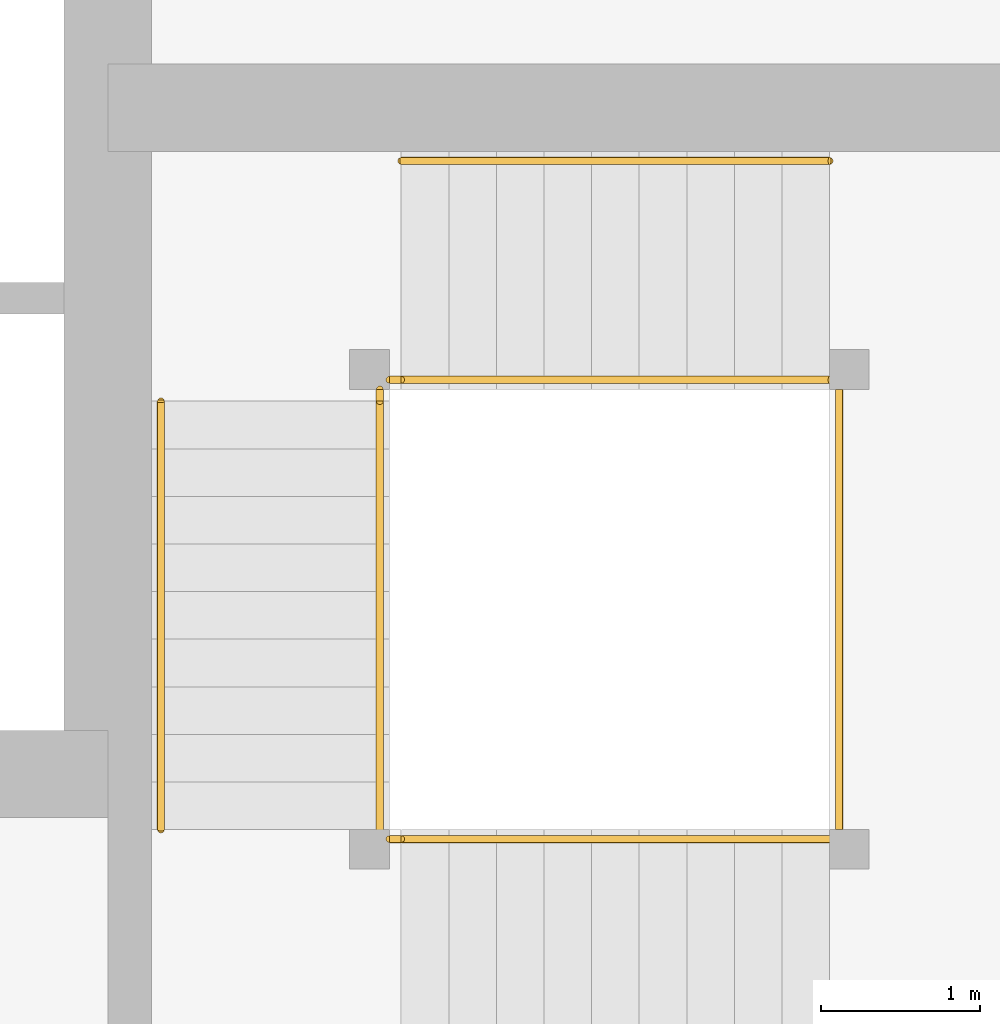
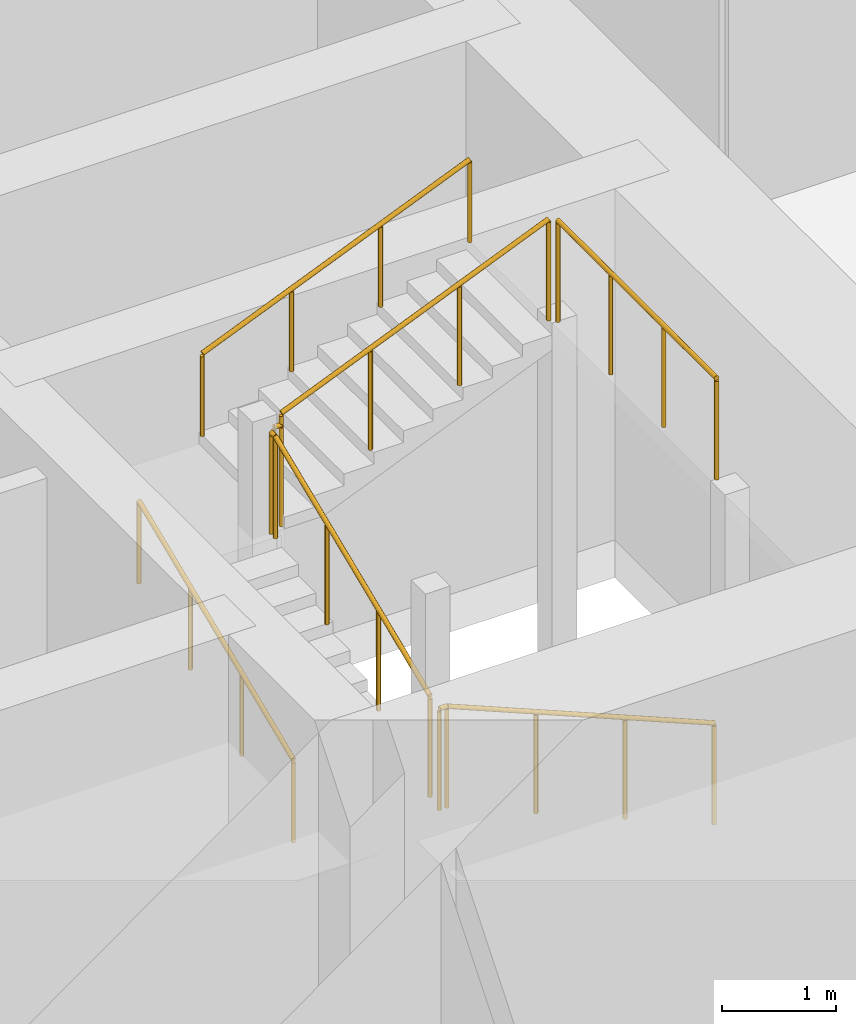
# One storey, part 30 of 35: 9 railings.
"""IFC4 building model written with IfcOpenShell, lengths in metres."""

from ifc_helpers import new_model, si_unit, direction, frame, origin, origin_2d, place, context, subcontext, project, spatial, circle, extrude, material, type_object, element, save


model = new_model("IFC4")

# Units and contexts
model_context = context("Model", 3, precision=1e-05, world=origin(), true_north=direction((0.0, 1.0)))
body_context = subcontext(model_context, "Body", "Model", "MODEL_VIEW")
ifc_project = project(units=[si_unit("LENGTHUNIT", "METRE"), si_unit("AREAUNIT", "SQUARE_METRE"), si_unit("VOLUMEUNIT", "CUBIC_METRE"), si_unit("PLANEANGLEUNIT", "RADIAN"), si_unit("MASSUNIT", "GRAM", prefix="KILO")], contexts=[model_context])

# Site, building, storey
site_placement = place(None, origin())
site = spatial("IfcSite", under=ifc_project, at=site_placement, CompositionType="ELEMENT")
building_placement = place(site_placement, origin())
building = spatial("IfcBuilding", under=site, at=building_placement, Name="Rekha Terrace Tower", CompositionType="ELEMENT")
storey_placement = place(building_placement, frame((0.0, 0.0, 25.39990234375)))
storey = spatial("IfcBuildingStorey", under=building, at=storey_placement, Name="L05", CompositionType="ELEMENT", Elevation=25.39990234375)

# Railings
ifc_material_1 = material(Name="Stainless steel balustrade", Category="steel")
railing_type_1 = type_object("IfcRailingType", Name="GR1 1100 stair guard", PredefinedType="GUARDRAIL", material=ifc_material_1)
railing_1_placement = place(storey_placement, frame((48.35009765625, 22.989990234375, 0.125)))
element("IfcRailing", 1, at=railing_1_placement, inside=storey, type_object=railing_type_1, Name="Guard ST3 L05 flight 1", PredefinedType="GUARDRAIL", context=body_context, shape_type="SweptSolid", body=[
    extrude(circle(Radius=0.02392578125, at=origin_2d()), frame((0.0, 0.0, 1.076171875), z_axis=(-0.923086799901, 0.0, 0.38459167938), x_axis=(0.0, -1.0, 0.0)), (0.0, 0.0, 1.0), 2.92529296875),
    extrude(circle(Radius=0.02099609375, at=origin_2d()), origin(), (0.0, 0.0, 1.0), 1.052001953125),
    extrude(circle(Radius=0.02099609375, at=origin_2d()), frame((-0.900146484375, 0.0, 0.375)), (0.0, 0.0, 1.0), 1.052001953125),
    extrude(circle(Radius=0.02099609375, at=origin_2d()), frame((-1.800048828125, 0.0, 0.75)), (0.0, 0.0, 1.0), 1.052001953125),
    extrude(circle(Radius=0.02099609375, at=origin_2d()), frame((-2.7001953125, 0.0, 1.125)), (0.0, 0.0, 1.0), 1.052001953125),
])
railing_2_placement = place(storey_placement, frame((45.514892578125, 23.050048828125, 1.375)))
element("IfcRailing", 2, at=railing_2_placement, inside=storey, type_object=railing_type_1, Name="Guard ST3 L05 flight 2", PredefinedType="GUARDRAIL", context=body_context, shape_type="SweptSolid", body=[
    extrude(circle(Radius=0.02392578125, at=origin_2d()), frame((0.0, 0.0, 1.076171875), z_axis=(0.0, 0.923074453586, 0.384621311341), x_axis=(-1.0, 0.0, 0.0)), (0.0, 0.0, 1.0), 2.925048828125),
    extrude(circle(Radius=0.02099609375, at=origin_2d()), origin(), (0.0, 0.0, 1.0), 1.052001953125),
    extrude(circle(Radius=0.02099609375, at=origin_2d()), frame((0.0, 0.89990234375, 0.375)), (0.0, 0.0, 1.0), 1.052001953125),
    extrude(circle(Radius=0.02099609375, at=origin_2d()), frame((0.0, 1.800048828125, 0.75)), (0.0, 0.0, 1.0), 1.052001953125),
    extrude(circle(Radius=0.02099609375, at=origin_2d()), frame((0.0, 2.699951171875, 1.125)), (0.0, 0.0, 1.0), 1.052001953125),
])
railing_3_placement = place(storey_placement, frame((45.64990234375, 25.885009765625, 2.625)))
element("IfcRailing", 3, at=railing_3_placement, inside=storey, type_object=railing_type_1, Name="Guard ST3 L05 flight 3", PredefinedType="GUARDRAIL", context=body_context, shape_type="SweptSolid", body=[
    extrude(circle(Radius=0.02392578125, at=origin_2d()), frame((0.0, 0.0, 1.076171875), z_axis=(0.923086799901, 0.0, 0.38459167938), x_axis=(0.0, 1.0, 0.0)), (0.0, 0.0, 1.0), 2.92529296875),
    extrude(circle(Radius=0.02099609375, at=origin_2d()), origin(), (0.0, 0.0, 1.0), 1.052001953125),
    extrude(circle(Radius=0.02099609375, at=origin_2d()), frame((0.900146484375, 0.0, 0.375)), (0.0, 0.0, 1.0), 1.052001953125),
    extrude(circle(Radius=0.02099609375, at=origin_2d()), frame((1.800048828125, 0.0, 0.75)), (0.0, 0.0, 1.0), 1.052001953125),
    extrude(circle(Radius=0.02099609375, at=origin_2d()), frame((2.7001953125, 0.0, 1.125)), (0.0, 0.0, 1.0), 1.052001953125),
])
railing_4_placement = place(storey_placement, frame((45.64990234375, 22.989990234375, 1.25)))
element("IfcRailing", 4, at=railing_4_placement, inside=storey, type_object=railing_type_1, Name="Guard ST3 L05 landing 1", PredefinedType="GUARDRAIL", context=body_context, shape_type="SweptSolid", body=[
    extrude(circle(Radius=0.02392578125, at=origin_2d()), frame((0.0, 0.0, 1.076171875), z_axis=(-1.0, 0.0, 0.0), x_axis=(0.0, -1.0, 0.0)), (0.0, 0.0, 1.0), 0.074951171875),
    extrude(circle(Radius=0.02099609375, at=origin_2d()), origin(), (0.0, 0.0, 1.0), 1.052001953125),
    extrude(circle(Radius=0.02099609375, at=origin_2d()), frame((-0.074951171875, 0.0, 0.0)), (0.0, 0.0, 1.0), 1.052001953125),
])
railing_5_placement = place(storey_placement, frame((45.514892578125, 25.75, 2.5)))
element("IfcRailing", 5, at=railing_5_placement, inside=storey, type_object=railing_type_1, Name="Guard ST3 L05 landing 2", PredefinedType="GUARDRAIL", context=body_context, shape_type="SweptSolid", body=[
    extrude(circle(Radius=0.02392578125, at=origin_2d()), frame((0.0, 0.0, 1.076171875), z_axis=(0.0, 1.0, 0.0), x_axis=(-1.0, 0.0, 0.0)), (0.0, 0.0, 1.0), 0.074951171875),
    extrude(circle(Radius=0.02099609375, at=origin_2d()), origin(), (0.0, 0.0, 1.0), 1.052001953125),
    extrude(circle(Radius=0.02099609375, at=origin_2d()), frame((0.0, 0.074951171875, 0.0)), (0.0, 0.0, 1.0), 1.052001953125),
])
railing_6_placement = place(storey_placement, frame((45.64990234375, 25.885009765625, 2.5)))
element("IfcRailing", 6, at=railing_6_placement, inside=storey, type_object=railing_type_1, Name="Guard ST3 L05 landing 3", PredefinedType="GUARDRAIL", context=body_context, shape_type="SweptSolid", body=[
    extrude(circle(Radius=0.02392578125, at=origin_2d()), frame((0.0, 0.0, 1.076171875), z_axis=(-1.0, 0.0, 0.0), x_axis=(0.0, -1.0, 0.0)), (0.0, 0.0, 1.0), 0.074951171875),
    extrude(circle(Radius=0.02099609375, at=origin_2d()), origin(), (0.0, 0.0, 1.0), 1.052001953125),
    extrude(circle(Radius=0.02099609375, at=origin_2d()), frame((-0.074951171875, 0.0, 0.0)), (0.0, 0.0, 1.0), 1.052001953125),
])
railing_7_placement = place(storey_placement, frame((48.409912109375, 23.050048828125, 3.75)))
element("IfcRailing", 7, at=railing_7_placement, inside=storey, type_object=railing_type_1, Name="Guard ST3 L05 landing 4", PredefinedType="GUARDRAIL", context=body_context, shape_type="SweptSolid", body=[
    extrude(circle(Radius=0.02392578125, at=origin_2d()), frame((0.0, 0.0, 1.076171875), z_axis=(0.0, 1.0, 0.0), x_axis=(-1.0, 0.0, 0.0)), (0.0, 0.0, 1.0), 2.77490234375),
    extrude(circle(Radius=0.02099609375, at=origin_2d()), origin(), (0.0, 0.0, 1.0), 1.052001953125),
    extrude(circle(Radius=0.02099609375, at=origin_2d()), frame((0.0, 0.925048828125, 0.0)), (0.0, 0.0, 1.0), 1.052001953125),
    extrude(circle(Radius=0.02099609375, at=origin_2d()), frame((0.0, 1.849853515625, 0.0)), (0.0, 0.0, 1.0), 1.052001953125),
    extrude(circle(Radius=0.02099609375, at=origin_2d()), frame((0.0, 2.77490234375, 0.0)), (0.0, 0.0, 1.0), 1.052001953125),
])
ifc_material_2 = material(Name="Stainless steel tube", Category="steel")
railing_type_2 = type_object("IfcRailingType", Name="HR1 900 stair handrail", PredefinedType="HANDRAIL", material=ifc_material_2)
railing_8_placement = place(storey_placement, frame((44.135009765625, 23.050048828125, 1.375)))
element("IfcRailing", 8, at=railing_8_placement, inside=storey, type_object=railing_type_2, Name="Handrail ST3 L05 flight 2", PredefinedType="HANDRAIL", context=body_context, shape_type="SweptSolid", body=[
    extrude(circle(Radius=0.02392578125, at=origin_2d()), frame((0.0, 0.0, 0.8759765625), z_axis=(0.0, 0.923074453586, 0.384621311341), x_axis=(-1.0, 0.0, 0.0)), (0.0, 0.0, 1.0), 2.925048828125),
    extrude(circle(Radius=0.02099609375, at=origin_2d()), origin(), (0.0, 0.0, 1.0), 0.851806640625),
    extrude(circle(Radius=0.02099609375, at=origin_2d()), frame((0.0, 0.89990234375, 0.375)), (0.0, 0.0, 1.0), 0.851806640625),
    extrude(circle(Radius=0.02099609375, at=origin_2d()), frame((0.0, 1.800048828125, 0.75)), (0.0, 0.0, 1.0), 0.851806640625),
    extrude(circle(Radius=0.02099609375, at=origin_2d()), frame((0.0, 2.699951171875, 1.125)), (0.0, 0.0, 1.0), 0.851806640625),
])
railing_9_placement = place(storey_placement, frame((45.64990234375, 27.264892578125, 2.625)))
element("IfcRailing", 9, at=railing_9_placement, inside=storey, type_object=railing_type_2, Name="Handrail ST3 L05 flight 3", PredefinedType="HANDRAIL", context=body_context, shape_type="SweptSolid", body=[
    extrude(circle(Radius=0.02392578125, at=origin_2d()), frame((0.0, 0.0, 0.8759765625), z_axis=(0.923086799901, 0.0, 0.38459167938), x_axis=(0.0, 1.0, 0.0)), (0.0, 0.0, 1.0), 2.92529296875),
    extrude(circle(Radius=0.02099609375, at=origin_2d()), origin(), (0.0, 0.0, 1.0), 0.851806640625),
    extrude(circle(Radius=0.02099609375, at=origin_2d()), frame((0.900146484375, 0.0, 0.375)), (0.0, 0.0, 1.0), 0.851806640625),
    extrude(circle(Radius=0.02099609375, at=origin_2d()), frame((1.800048828125, 0.0, 0.75)), (0.0, 0.0, 1.0), 0.851806640625),
    extrude(circle(Radius=0.02099609375, at=origin_2d()), frame((2.7001953125, 0.0, 1.125)), (0.0, 0.0, 1.0), 0.851806640625),
])

save(model, "model.ifc")
